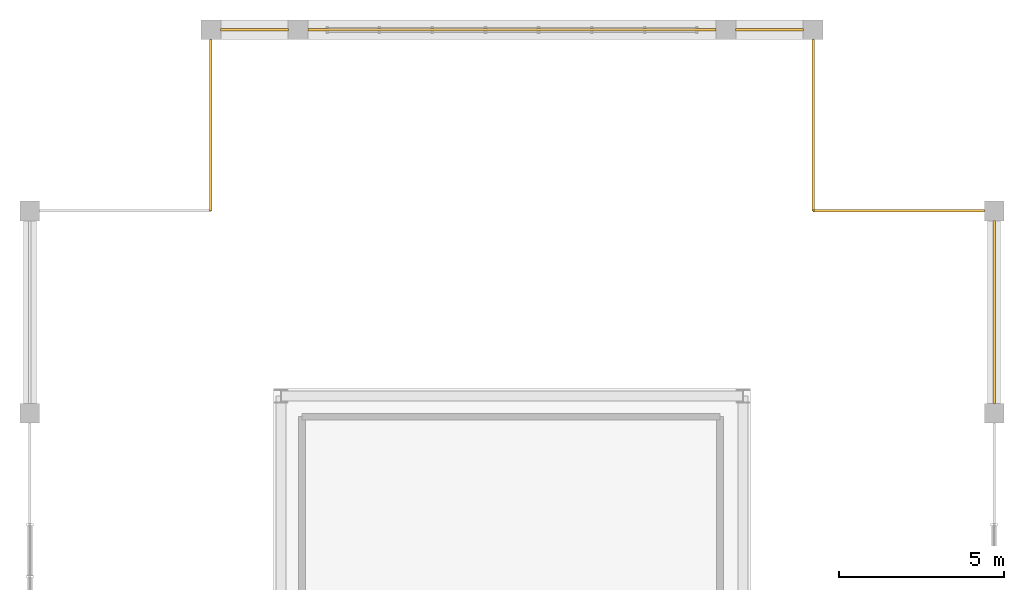
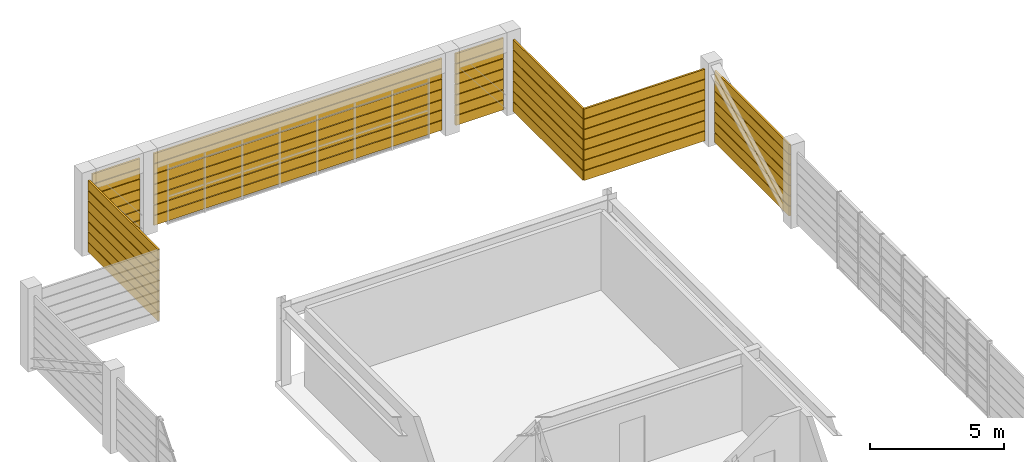
# One storey, part 21 of 21: 49 shading devices.
"""IFC4 building model written with IfcOpenShell, lengths in metres."""

from ifc_helpers import new_model, si_unit, direction, frame, origin, origin_2d, place, context, subcontext, project, spatial, rectangle, extrude, source, transform, mapped, material, material_profile, profile_set, type_object, element, save


model = new_model("IFC4")

# Units and contexts
model_context = context("Model", 3, precision=1e-05, world=origin(), true_north=direction((0.0, 1.0)))
body_context = subcontext(model_context, "Body", "Model", "MODEL_VIEW")
ifc_project = project(units=[si_unit("LENGTHUNIT", "METRE"), si_unit("AREAUNIT", "SQUARE_METRE"), si_unit("VOLUMEUNIT", "CUBIC_METRE"), si_unit("PLANEANGLEUNIT", "RADIAN"), si_unit("MASSUNIT", "GRAM", prefix="KILO")], contexts=[model_context])

# Site, building, storey
site_placement = place(None, origin())
site = spatial("IfcSite", under=ifc_project, at=site_placement, CompositionType="ELEMENT")
building_placement = place(site_placement, origin())
building = spatial("IfcBuilding", under=site, at=building_placement, Name="Saelheon Loggia Tower", CompositionType="ELEMENT")
storey_placement = place(building_placement, frame((0.0, 0.0, 259.800048828125)))
storey = spatial("IfcBuildingStorey", under=building, at=storey_placement, Name="CR3", CompositionType="ELEMENT", Elevation=259.800048828125)

# Shading devices
ifc_material = material(Name="Bronze-Anodised Aluminium 6063-T6", Category="aluminium")
ifc_material_profile = material_profile(ifc_material, rectangle(XDim=0.080078125, YDim=0.43994140625, at=origin_2d()), Name="Louvre_CrownBlade_250")
ifc_profile_set = profile_set([ifc_material_profile], Name="Bronze-Anodised Aluminium 6063-T6")
shading_device_type = type_object("IfcShadingDeviceType", Name="Louvre_CrownBlade_250", PredefinedType="AWNING", material=ifc_profile_set)
shared_shape_1 = source(origin(), body_context, "Body", "SweptSolid", [
    extrude(rectangle(XDim=0.080078125, YDim=0.43994140625, at=origin_2d()), origin(), (0.0, 0.0, 1.0), 2.06005859375),
])
for number, where, z_axis, x_axis, name in (
    (1, (46.85498046875, 47.64990234375, 0.349853515625), (-1.0, 0.0, 0.0), (0.0, -1.0, 0.0), "CR3 Crown Screen Horizontal Blade"),
    (2, (46.85498046875, 47.64990234375, 0.820068359375), (-1.0, 0.0, 0.0), (0.0, -1.0, 0.0), "CR3 Crown Screen Horizontal Blade"),
    (3, (46.85498046875, 47.64990234375, 1.2900390625), (-1.0, 0.0, 0.0), (0.0, -1.0, 0.0), "CR3 Crown Screen Horizontal Blade"),
    (4, (46.85498046875, 47.64990234375, 1.760009765625), (-1.0, 0.0, 0.0), (0.0, -1.0, 0.0), "CR3 Crown Screen Horizontal Blade"),
    (5, (46.85498046875, 47.64990234375, 2.22998046875), (-1.0, 0.0, 0.0), (0.0, -1.0, 0.0), "CR3 Crown Screen Horizontal Blade"),
    (6, (46.85498046875, 47.64990234375, 2.699951171875), (-1.0, 0.0, 0.0), (0.0, -1.0, 0.0), "CR3 Crown Screen Horizontal Blade"),
    (7, (46.85498046875, 47.64990234375, 3.169921875), (-1.0, 0.0, 0.0), (0.0, -1.0, 0.0), "CR3 Crown Screen Horizontal Blade"),
    (8, (31.205078125, 47.64990234375, 0.349853515625), (-1.0, 0.0, 0.0), (0.0, -1.0, 0.0), "CR3 Crown Screen Horizontal Blade"),
    (9, (31.205078125, 47.64990234375, 0.820068359375), (-1.0, 0.0, 0.0), (0.0, -1.0, 0.0), "CR3 Crown Screen Horizontal Blade"),
    (10, (31.205078125, 47.64990234375, 1.2900390625), (-1.0, 0.0, 0.0), (0.0, -1.0, 0.0), "CR3 Crown Screen Horizontal Blade"),
    (11, (31.205078125, 47.64990234375, 1.760009765625), (-1.0, 0.0, 0.0), (0.0, -1.0, 0.0), "CR3 Crown Screen Horizontal Blade"),
    (12, (31.205078125, 47.64990234375, 2.22998046875), (-1.0, 0.0, 0.0), (0.0, -1.0, 0.0), "CR3 Crown Screen Horizontal Blade"),
    (13, (31.205078125, 47.64990234375, 2.699951171875), (-1.0, 0.0, 0.0), (0.0, -1.0, 0.0), "CR3 Crown Screen Horizontal Blade"),
    (14, (31.205078125, 47.64990234375, 3.169921875), (-1.0, 0.0, 0.0), (0.0, -1.0, 0.0), "CR3 Crown Screen Horizontal Blade"),
):
    element("IfcShadingDevice", number, at=place(storey_placement, frame(where, z_axis=z_axis, x_axis=x_axis)), inside=storey, type_object=shading_device_type, Name=name, PredefinedType="AWNING", context=body_context, shape_type="MappedRepresentation", body=[
        mapped(shared_shape_1, transform((0.0, 0.0, 0.0), scale=1.0)),
    ])
shared_shape_2 = source(origin(), body_context, "Body", "SweptSolid", [
    extrude(rectangle(XDim=0.080078125, YDim=0.43994140625, at=origin_2d()), origin(), (0.0, 0.0, 1.0), 12.41015625),
])
for number, where, z_axis, x_axis, name in (
    (15, (44.205078125, 47.64990234375, 0.349853515625), (-1.0, 0.0, 0.0), (0.0, -1.0, 0.0), "CR3 Crown Screen Horizontal Blade"),
    (16, (44.205078125, 47.64990234375, 0.820068359375), (-1.0, 0.0, 0.0), (0.0, -1.0, 0.0), "CR3 Crown Screen Horizontal Blade"),
    (17, (44.205078125, 47.64990234375, 1.2900390625), (-1.0, 0.0, 0.0), (0.0, -1.0, 0.0), "CR3 Crown Screen Horizontal Blade"),
    (18, (44.205078125, 47.64990234375, 1.760009765625), (-1.0, 0.0, 0.0), (0.0, -1.0, 0.0), "CR3 Crown Screen Horizontal Blade"),
    (19, (44.205078125, 47.64990234375, 2.22998046875), (-1.0, 0.0, 0.0), (0.0, -1.0, 0.0), "CR3 Crown Screen Horizontal Blade"),
    (20, (44.205078125, 47.64990234375, 2.699951171875), (-1.0, 0.0, 0.0), (0.0, -1.0, 0.0), "CR3 Crown Screen Horizontal Blade"),
    (21, (44.205078125, 47.64990234375, 3.169921875), (-1.0, 0.0, 0.0), (0.0, -1.0, 0.0), "CR3 Crown Screen Horizontal Blade"),
):
    element("IfcShadingDevice", number, at=place(storey_placement, frame(where, z_axis=z_axis, x_axis=x_axis)), inside=storey, type_object=shading_device_type, Name=name, PredefinedType="AWNING", context=body_context, shape_type="MappedRepresentation", body=[
        mapped(shared_shape_2, transform((0.0, 0.0, 0.0), scale=1.0)),
    ])
shared_shape_3 = source(origin(), body_context, "Body", "SweptSolid", [
    extrude(rectangle(XDim=0.080078125, YDim=0.43994140625, at=origin_2d()), origin(), (0.0, 0.0, 1.0), 5.205078125),
])
for number, where, z_axis, x_axis, name in (
    (22, (52.35498046875, 42.14990234375, 0.349853515625), (-1.0, 0.0, 0.0), (0.0, -1.0, 0.0), "CR3 Crown Screen Horizontal Blade"),
    (23, (52.35498046875, 42.14990234375, 0.820068359375), (-1.0, 0.0, 0.0), (0.0, -1.0, 0.0), "CR3 Crown Screen Horizontal Blade"),
    (24, (52.35498046875, 42.14990234375, 1.2900390625), (-1.0, 0.0, 0.0), (0.0, -1.0, 0.0), "CR3 Crown Screen Horizontal Blade"),
    (25, (52.35498046875, 42.14990234375, 1.760009765625), (-1.0, 0.0, 0.0), (0.0, -1.0, 0.0), "CR3 Crown Screen Horizontal Blade"),
    (26, (52.35498046875, 42.14990234375, 2.22998046875), (-1.0, 0.0, 0.0), (0.0, -1.0, 0.0), "CR3 Crown Screen Horizontal Blade"),
    (27, (52.35498046875, 42.14990234375, 2.699951171875), (-1.0, 0.0, 0.0), (0.0, -1.0, 0.0), "CR3 Crown Screen Horizontal Blade"),
    (28, (52.35498046875, 42.14990234375, 3.169921875), (-1.0, 0.0, 0.0), (0.0, -1.0, 0.0), "CR3 Crown Screen Horizontal Blade"),
    (29, (47.14990234375, 42.14990234375, 0.349853515625), (0.0, 1.0, 0.0), (-1.0, 0.0, 0.0), "CR3 Crown Screen Horizontal Blade"),
    (30, (47.14990234375, 42.14990234375, 0.820068359375), (0.0, 1.0, 0.0), (-1.0, 0.0, 0.0), "CR3 Crown Screen Horizontal Blade"),
    (31, (47.14990234375, 42.14990234375, 1.2900390625), (0.0, 1.0, 0.0), (-1.0, 0.0, 0.0), "CR3 Crown Screen Horizontal Blade"),
    (32, (47.14990234375, 42.14990234375, 1.760009765625), (0.0, 1.0, 0.0), (-1.0, 0.0, 0.0), "CR3 Crown Screen Horizontal Blade"),
    (33, (47.14990234375, 42.14990234375, 2.22998046875), (0.0, 1.0, 0.0), (-1.0, 0.0, 0.0), "CR3 Crown Screen Horizontal Blade"),
    (34, (47.14990234375, 42.14990234375, 2.699951171875), (0.0, 1.0, 0.0), (-1.0, 0.0, 0.0), "CR3 Crown Screen Horizontal Blade"),
    (35, (47.14990234375, 42.14990234375, 3.169921875), (0.0, 1.0, 0.0), (-1.0, 0.0, 0.0), "CR3 Crown Screen Horizontal Blade"),
    (36, (28.85009765625, 47.35498046875, 0.349853515625), (0.0, -1.0, 0.0), (1.0, 0.0, 0.0), "CR3 Crown Screen Horizontal Blade"),
    (37, (28.85009765625, 47.35498046875, 0.820068359375), (0.0, -1.0, 0.0), (1.0, 0.0, 0.0), "CR3 Crown Screen Horizontal Blade"),
    (38, (28.85009765625, 47.35498046875, 1.2900390625), (0.0, -1.0, 0.0), (1.0, 0.0, 0.0), "CR3 Crown Screen Horizontal Blade"),
    (39, (28.85009765625, 47.35498046875, 1.760009765625), (0.0, -1.0, 0.0), (1.0, 0.0, 0.0), "CR3 Crown Screen Horizontal Blade"),
    (40, (28.85009765625, 47.35498046875, 2.22998046875), (0.0, -1.0, 0.0), (1.0, 0.0, 0.0), "CR3 Crown Screen Horizontal Blade"),
    (41, (28.85009765625, 47.35498046875, 2.699951171875), (0.0, -1.0, 0.0), (1.0, 0.0, 0.0), "CR3 Crown Screen Horizontal Blade"),
    (42, (28.85009765625, 47.35498046875, 3.169921875), (0.0, -1.0, 0.0), (1.0, 0.0, 0.0), "CR3 Crown Screen Horizontal Blade"),
):
    element("IfcShadingDevice", number, at=place(storey_placement, frame(where, z_axis=z_axis, x_axis=x_axis)), inside=storey, type_object=shading_device_type, Name=name, PredefinedType="AWNING", context=body_context, shape_type="MappedRepresentation", body=[
        mapped(shared_shape_3, transform((0.0, 0.0, 0.0), scale=1.0)),
    ])
shared_shape_4 = source(origin(), body_context, "Body", "SweptSolid", [
    extrude(rectangle(XDim=0.080078125, YDim=0.43994140625, at=origin_2d()), origin(), (0.0, 0.0, 1.0), 5.56005859375),
])
for number, where, z_axis, x_axis, name in (
    (43, (52.64990234375, 36.294921875, 0.349853515625), (0.0, 1.0, 0.0), (-1.0, 0.0, 0.0), "CR3 Crown Screen Horizontal Blade"),
    (44, (52.64990234375, 36.294921875, 0.820068359375), (0.0, 1.0, 0.0), (-1.0, 0.0, 0.0), "CR3 Crown Screen Horizontal Blade"),
    (45, (52.64990234375, 36.294921875, 1.2900390625), (0.0, 1.0, 0.0), (-1.0, 0.0, 0.0), "CR3 Crown Screen Horizontal Blade"),
    (46, (52.64990234375, 36.294921875, 1.760009765625), (0.0, 1.0, 0.0), (-1.0, 0.0, 0.0), "CR3 Crown Screen Horizontal Blade"),
    (47, (52.64990234375, 36.294921875, 2.22998046875), (0.0, 1.0, 0.0), (-1.0, 0.0, 0.0), "CR3 Crown Screen Horizontal Blade"),
    (48, (52.64990234375, 36.294921875, 2.699951171875), (0.0, 1.0, 0.0), (-1.0, 0.0, 0.0), "CR3 Crown Screen Horizontal Blade"),
    (49, (52.64990234375, 36.294921875, 3.169921875), (0.0, 1.0, 0.0), (-1.0, 0.0, 0.0), "CR3 Crown Screen Horizontal Blade"),
):
    element("IfcShadingDevice", number, at=place(storey_placement, frame(where, z_axis=z_axis, x_axis=x_axis)), inside=storey, type_object=shading_device_type, Name=name, PredefinedType="AWNING", context=body_context, shape_type="MappedRepresentation", body=[
        mapped(shared_shape_4, transform((0.0, 0.0, 0.0), scale=1.0)),
    ])

save(model, "model.ifc")
